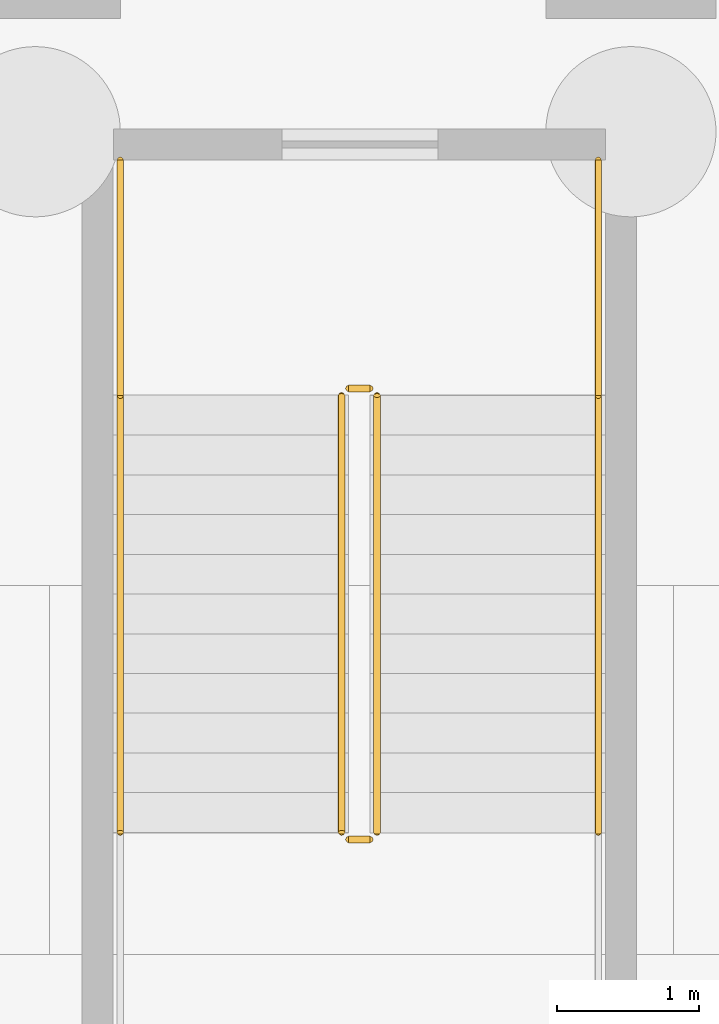
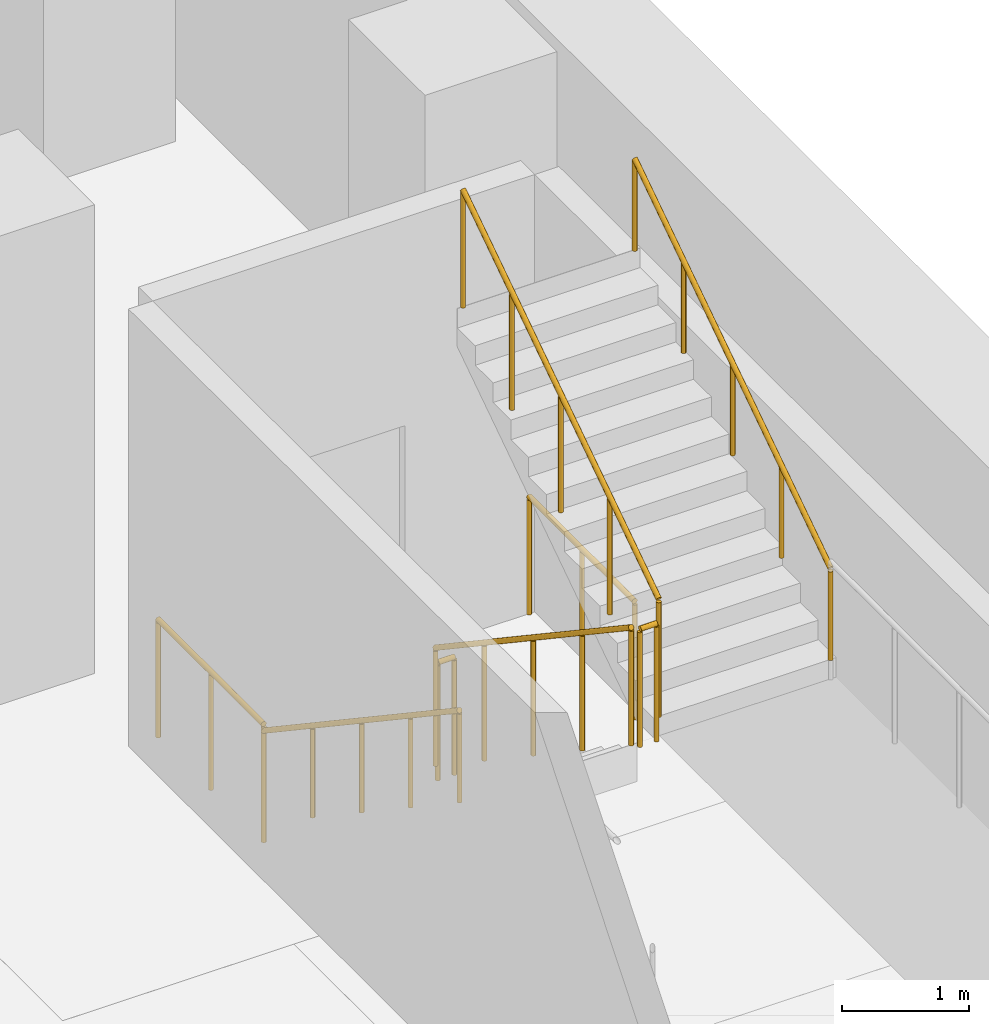
# One storey, part 13 of 15: 8 railings.
"""IFC4 building model written with IfcOpenShell, lengths in metres."""

import ifcopenshell
import ifcopenshell.guid

model = None  # the IFC model being written
_history = None  # IfcOwnerHistory: only IFC2X3 demands one
_inside = {}  # id of a spatial element -> (the spatial element, [elements in it])
_under = {}  # id of a project, library or spatial element -> (it, [spatial elements below it])
_declared = {}  # id of a project -> (the project, [libraries it declares])
_typed = {}  # id of a type object -> (the type object, [elements of that type])
_made_of = {}  # id of a material, layer set ... -> (it, [elements and type objects made of it])


def new_model(schema):
    """Start an empty IFC model of exactly this schema.

    Asked for "IFC4X3", IfcOpenShell would pick the latest addendum, in which some entities
    have other attributes; the version numbers below select the first issue.
    IFC2X3 requires an IfcOwnerHistory on every rooted entity: one is made here for all.
    """
    global model, _history
    if schema == "IFC4X3":
        model = ifcopenshell.file(schema_version=(4, 3, 0, 0))
    else:
        model = ifcopenshell.file(schema=schema)
    _inside.clear()
    _under.clear()
    _declared.clear()
    _typed.clear()
    _made_of.clear()
    _history = None
    if model.schema == "IFC2X3":
        org = make("IfcOrganization", Name="unknown")
        user = make(
            "IfcPersonAndOrganization",
            ThePerson=make("IfcPerson", FamilyName="unknown"),
            TheOrganization=org,
        )
        app = make(
            "IfcApplication",
            ApplicationDeveloper=org,
            Version="unknown",
            ApplicationFullName="unknown",
            ApplicationIdentifier="unknown",
        )
        _history = make(
            "IfcOwnerHistory",
            OwningUser=user,
            OwningApplication=app,
            ChangeAction="ADDED",
            CreationDate=0,
        )
    return model


def make(cls, **values):
    """One entity of the class cls with the attributes given. An attribute that is None is left unset."""
    return model.create_entity(
        cls, **{name: value for name, value in values.items() if value is not None}
    )


def rooted(cls, **values):
    """An entity with a GlobalId (a new one), such as an element, a storey or a relation."""
    return make(cls, GlobalId=ifcopenshell.guid.new(), OwnerHistory=_history, **values)


def si_unit(unit_type, name, prefix=None):
    """IfcSIUnit, for example si_unit("LENGTHUNIT", "METRE", prefix="MILLI")."""
    return make("IfcSIUnit", UnitType=unit_type, Prefix=prefix, Name=name)


def assignment(units):
    """IfcUnitAssignment: the units of a project."""
    return None if units is None else make("IfcUnitAssignment", Units=units)


def point(xyz):
    """IfcCartesianPoint."""
    return None if xyz is None else make("IfcCartesianPoint", Coordinates=xyz)


def direction(xyz):
    """IfcDirection."""
    return None if xyz is None else make("IfcDirection", DirectionRatios=xyz)


def frame(location, z_axis=None, x_axis=None):
    """IfcAxis2Placement3D, a coordinate frame: its origin and axes. An axis left out is left unset."""
    return make(
        "IfcAxis2Placement3D",
        Location=point(location),
        Axis=direction(z_axis),
        RefDirection=direction(x_axis),
    )


def frame_2d(location, x_axis=None):
    """IfcAxis2Placement2D, a coordinate frame in the plane: its origin and x axis."""
    return make(
        "IfcAxis2Placement2D", Location=point(location), RefDirection=direction(x_axis)
    )


def origin():
    """The frame at (0, 0, 0) with its axes left unset."""
    return frame((0.0, 0.0, 0.0))


def origin_2d():
    """The frame at (0, 0) in the plane with its x axis left unset."""
    return frame_2d((0.0, 0.0))


def place(relative_to, where):
    """IfcLocalPlacement: puts the frame where relative to a parent placement (None: the world)."""
    return make(
        "IfcLocalPlacement", PlacementRelTo=relative_to, RelativePlacement=where
    )


def context(
    kind, dimensions, precision=None, world=None, true_north=None, identifier=None
):
    """IfcGeometricRepresentationContext, for example the 3D "Model" context."""
    return make(
        "IfcGeometricRepresentationContext",
        ContextIdentifier=identifier,
        ContextType=kind,
        CoordinateSpaceDimension=dimensions,
        Precision=precision,
        WorldCoordinateSystem=world,
        TrueNorth=true_north,
    )


def subcontext(parent, identifier, kind, view, scale=None):
    """IfcGeometricRepresentationSubContext, for example "Body" below "Model"."""
    return make(
        "IfcGeometricRepresentationSubContext",
        ContextIdentifier=identifier,
        ContextType=kind,
        ParentContext=parent,
        TargetScale=scale,
        TargetView=view,
    )


def project(units=None, contexts=None):
    """IfcProject with its units and contexts."""
    return rooted(
        "IfcProject",
        Name="project",
        RepresentationContexts=contexts,
        UnitsInContext=assignment(units),
    )


def spatial(cls, under=None, at=None, **own):
    """A site, building, storey or space (cls), placed at a placement, below another one or the project."""
    s = rooted(cls, ObjectPlacement=at, **own)
    if under is not None:
        _under.setdefault(under.id(), (under, []))[1].append(s)
    return s


def profile(cls, at=None, kind="AREA", **sizes):
    """A parametric profile (cls). Its sizes go by their IFC names, for example OverallWidth=200.0."""
    return make(cls, ProfileType=kind, Position=at, **sizes)


def circle(**sizes):
    """IfcCircleProfileDef."""
    return profile("IfcCircleProfileDef", **sizes)


def extrude(swept, where, along, depth):
    """IfcExtrudedAreaSolid: the profile swept, set in the frame where, extruded along a direction by depth."""
    return make(
        "IfcExtrudedAreaSolid",
        SweptArea=swept,
        Position=where,
        ExtrudedDirection=direction(along),
        Depth=depth,
    )


def shape(context_of_items, identifier, shape_type, items):
    """IfcShapeRepresentation: the items that make up one representation, for example the "Body"."""
    return make(
        "IfcShapeRepresentation",
        ContextOfItems=context_of_items,
        RepresentationIdentifier=identifier,
        RepresentationType=shape_type,
        Items=items,
    )


def material(Name=None, Category=None):
    """IfcMaterial."""
    return make("IfcMaterial", Name=Name, Category=Category)


def made_of(thing, what):
    """Note that an element or type object is made of a material, layer set ...; save() writes the relation."""
    if what is not None:
        _made_of.setdefault(what.id(), (what, []))[1].append(thing)
    return thing


def type_object(cls, material=None, **own):
    """A type object (cls), such as IfcWallType, which elements share."""
    return made_of(rooted(cls, **own), material)


def element(
    cls,
    number,
    at=None,
    inside=None,
    cuts=None,
    type_object=None,
    material=None,
    context=None,
    identifier="Body",
    shape_type=None,
    held_by="IfcProductDefinitionShape",
    body=None,
    shapes=None,
    **own,
):
    """One element of the class cls, such as IfcWall. Its Tag is "e" and its number.

    at: its placement. inside: the storey or other place that contains it. cuts: it is an
    opening in that element (IfcRelVoidsElement). A single representation is given by context,
    identifier, shape_type and body (its items); several are given by shapes. held_by: the class
    of the entity that holds the representations. save() writes the other relations.
    """
    e = rooted(cls, Tag="e%d" % number, ObjectPlacement=at, **own)
    if body is not None:
        shapes = [shape(context, identifier, shape_type, body)]
    if shapes is not None:
        e.Representation = make(held_by, Representations=shapes)
    if inside is not None:
        _inside.setdefault(inside.id(), (inside, []))[1].append(e)
    if cuts is not None:
        rooted(
            "IfcRelVoidsElement", RelatingBuildingElement=cuts, RelatedOpeningElement=e
        )
    if type_object is not None:
        _typed.setdefault(type_object.id(), (type_object, []))[1].append(e)
    return made_of(e, material)


def aggregate(whole, parts):
    """IfcRelAggregates: a whole, such as a stair, and the parts it consists of."""
    return rooted("IfcRelAggregates", RelatingObject=whole, RelatedObjects=parts)


def save(model, path):
    """Write the relations noted so far, then the file.

    IfcRelAggregates (storeys below a building ...), IfcRelContainedInSpatialStructure (elements
    in a storey), IfcRelDefinesByType, IfcRelAssociatesMaterial and IfcRelDeclares: one each for
    every whole, place, type object, material and project.
    """
    for whole, parts in _under.values():
        aggregate(whole, parts)
    for where, things in _inside.values():
        rooted(
            "IfcRelContainedInSpatialStructure",
            RelatedElements=things,
            RelatingStructure=where,
        )
    for kind, things in _typed.values():
        rooted("IfcRelDefinesByType", RelatedObjects=things, RelatingType=kind)
    for what, things in _made_of.values():
        rooted("IfcRelAssociatesMaterial", RelatedObjects=things, RelatingMaterial=what)
    for by, libraries in _declared.values():
        rooted("IfcRelDeclares", RelatingContext=by, RelatedDefinitions=libraries)
    model.write(path)


model = new_model("IFC4")

# Units and contexts
model_context = context("Model", 3, precision=1e-05, world=origin(), true_north=direction((0.0, 1.0)))
body_context = subcontext(model_context, "Body", "Model", "MODEL_VIEW")
ifc_project = project(units=[si_unit("LENGTHUNIT", "METRE"), si_unit("AREAUNIT", "SQUARE_METRE"), si_unit("VOLUMEUNIT", "CUBIC_METRE"), si_unit("PLANEANGLEUNIT", "RADIAN"), si_unit("MASSUNIT", "GRAM", prefix="KILO")], contexts=[model_context])

# Site, building, storey
site_placement = place(None, origin())
site = spatial("IfcSite", under=ifc_project, at=site_placement, CompositionType="ELEMENT")
building_placement = place(site_placement, origin())
building = spatial("IfcBuilding", under=site, at=building_placement, Name="Khairoan Windgate Tower", CompositionType="ELEMENT")
storey_placement = place(building_placement, frame((0.0, 0.0, -9.0)))
storey = spatial("IfcBuildingStorey", under=building, at=storey_placement, Name="B2", CompositionType="ELEMENT", Elevation=-9.0)

# Railings
ifc_material_1 = material(Name="Anodised Bronze Aluminium 6063-T6", Category="aluminium")
railing_type_1 = type_object("IfcRailingType", Name="Stair Wall Handrail SHR-900", PredefinedType="HANDRAIL", material=ifc_material_1)
railing_1_placement = place(storey_placement, frame((30.60009765625, -11.659912109375, 0.1875)))
element("IfcRailing", 1, at=railing_1_placement, inside=storey, type_object=railing_type_1, Name="B2 ST3 stair handrail 1", PredefinedType="HANDRAIL", context=body_context, shape_type="SweptSolid", body=[
    extrude(circle(Radius=0.02392578125, at=origin_2d()), frame((0.0, 0.0, 0.8759765625), z_axis=(0.0, -0.830913701846, 0.55640131208), x_axis=(1.0, 0.0, 0.0)), (0.0, 0.0, 1.0), 3.706787109375),
    extrude(circle(Radius=0.02099609375, at=origin_2d()), origin(), (0.0, 0.0, 1.0), 0.851806640625),
    extrude(circle(Radius=0.02099609375, at=origin_2d()), frame((0.0, -0.77001953125, 0.515625)), (0.0, 0.0, 1.0), 0.851806640625),
    extrude(circle(Radius=0.02099609375, at=origin_2d()), frame((0.0, -1.5400390625, 1.03125)), (0.0, 0.0, 1.0), 0.851806640625),
    extrude(circle(Radius=0.02099609375, at=origin_2d()), frame((0.0, -2.31005859375, 1.546875)), (0.0, 0.0, 1.0), 0.851806640625),
    extrude(circle(Radius=0.02099609375, at=origin_2d()), frame((0.0, -3.080078125, 2.0625)), (0.0, 0.0, 1.0), 0.851806640625),
])
railing_2_placement = place(storey_placement, frame((33.969970703125, -14.739990234375, 2.4375)))
element("IfcRailing", 2, at=railing_2_placement, inside=storey, type_object=railing_type_1, Name="B2 ST3 stair handrail 2", PredefinedType="HANDRAIL", context=body_context, shape_type="SweptSolid", body=[
    extrude(circle(Radius=0.02392578125, at=origin_2d()), frame((0.0, 0.0, 0.8759765625), z_axis=(0.0, 0.830913701846, 0.55640131208), x_axis=(-1.0, 0.0, 0.0)), (0.0, 0.0, 1.0), 3.706787109375),
    extrude(circle(Radius=0.02099609375, at=origin_2d()), origin(), (0.0, 0.0, 1.0), 0.851806640625),
    extrude(circle(Radius=0.02099609375, at=origin_2d()), frame((0.0, 0.77001953125, 0.515625)), (0.0, 0.0, 1.0), 0.851806640625),
    extrude(circle(Radius=0.02099609375, at=origin_2d()), frame((0.0, 1.5400390625, 1.03125)), (0.0, 0.0, 1.0), 0.851806640625),
    extrude(circle(Radius=0.02099609375, at=origin_2d()), frame((0.0, 2.31005859375, 1.546875)), (0.0, 0.0, 1.0), 0.851806640625),
    extrude(circle(Radius=0.02099609375, at=origin_2d()), frame((0.0, 3.080078125, 2.0625)), (0.0, 0.0, 1.0), 0.851806640625),
])
ifc_material_2 = material(Name="Steel S355", Category="steel")
railing_type_2 = type_object("IfcRailingType", Name="Stairwell Safety Guardrail SGR-1150", PredefinedType="GUARDRAIL", material=ifc_material_2)
railing_3_placement = place(storey_placement, frame((32.159912109375, -11.659912109375, 0.1875)))
element("IfcRailing", 3, at=railing_3_placement, inside=storey, type_object=railing_type_2, Name="B2 ST3 stair guard 1", PredefinedType="GUARDRAIL", context=body_context, shape_type="SweptSolid", body=[
    extrude(circle(Radius=0.02392578125, at=origin_2d()), frame((0.0, 0.0, 1.1259765625), z_axis=(0.0, -0.830913701846, 0.55640131208), x_axis=(1.0, 0.0, 0.0)), (0.0, 0.0, 1.0), 3.706787109375),
    extrude(circle(Radius=0.02099609375, at=origin_2d()), origin(), (0.0, 0.0, 1.0), 1.101806640625),
    extrude(circle(Radius=0.02099609375, at=origin_2d()), frame((0.0, -0.77001953125, 0.515625)), (0.0, 0.0, 1.0), 1.101806640625),
    extrude(circle(Radius=0.02099609375, at=origin_2d()), frame((0.0, -1.5400390625, 1.03125)), (0.0, 0.0, 1.0), 1.101806640625),
    extrude(circle(Radius=0.02099609375, at=origin_2d()), frame((0.0, -2.31005859375, 1.546875)), (0.0, 0.0, 1.0), 1.101806640625),
    extrude(circle(Radius=0.02099609375, at=origin_2d()), frame((0.0, -3.080078125, 2.0625)), (0.0, 0.0, 1.0), 1.101806640625),
])
railing_4_placement = place(storey_placement, frame((32.2099609375, -14.7900390625, 2.25)))
element("IfcRailing", 4, at=railing_4_placement, inside=storey, type_object=railing_type_2, Name="B2 ST3 stair guard 2", PredefinedType="GUARDRAIL", context=body_context, shape_type="SweptSolid", body=[
    extrude(circle(Radius=0.02392578125, at=origin_2d()), frame((0.0, 0.0, 1.1259765625), z_axis=(1.0, 0.0, 0.0), x_axis=(0.0, 1.0, 0.0)), (0.0, 0.0, 1.0), 0.150146484375),
    extrude(circle(Radius=0.02099609375, at=origin_2d()), origin(), (0.0, 0.0, 1.0), 1.101806640625),
    extrude(circle(Radius=0.02099609375, at=origin_2d()), frame((0.150146484375, 0.0, 0.0)), (0.0, 0.0, 1.0), 1.101806640625),
])
railing_5_placement = place(storey_placement, frame((32.409912109375, -14.739990234375, 2.4375)))
element("IfcRailing", 5, at=railing_5_placement, inside=storey, type_object=railing_type_2, Name="B2 ST3 stair guard 6", PredefinedType="GUARDRAIL", context=body_context, shape_type="SweptSolid", body=[
    extrude(circle(Radius=0.02392578125, at=origin_2d()), frame((0.0, 0.0, 1.1259765625), z_axis=(0.0, 0.830913701846, 0.55640131208), x_axis=(-1.0, 0.0, 0.0)), (0.0, 0.0, 1.0), 3.706787109375),
    extrude(circle(Radius=0.02099609375, at=origin_2d()), origin(), (0.0, 0.0, 1.0), 1.101806640625),
    extrude(circle(Radius=0.02099609375, at=origin_2d()), frame((0.0, 0.77001953125, 0.515625)), (0.0, 0.0, 1.0), 1.101806640625),
    extrude(circle(Radius=0.02099609375, at=origin_2d()), frame((0.0, 1.5400390625, 1.03125)), (0.0, 0.0, 1.0), 1.101806640625),
    extrude(circle(Radius=0.02099609375, at=origin_2d()), frame((0.0, 2.31005859375, 1.546875)), (0.0, 0.0, 1.0), 1.101806640625),
    extrude(circle(Radius=0.02099609375, at=origin_2d()), frame((0.0, 3.080078125, 2.0625)), (0.0, 0.0, 1.0), 1.101806640625),
])
railing_6_placement = place(storey_placement, frame((32.2099609375, -11.610107421875, 0.0)))
element("IfcRailing", 6, at=railing_6_placement, inside=storey, type_object=railing_type_2, Name="B2 ST3 stair guard 7", PredefinedType="GUARDRAIL", context=body_context, shape_type="SweptSolid", body=[
    extrude(circle(Radius=0.02392578125, at=origin_2d()), frame((0.0, 0.0, 1.1259765625), z_axis=(1.0, 0.0, 0.0), x_axis=(0.0, 1.0, 0.0)), (0.0, 0.0, 1.0), 0.150146484375),
    extrude(circle(Radius=0.02099609375, at=origin_2d()), origin(), (0.0, 0.0, 1.0), 1.101806640625),
    extrude(circle(Radius=0.02099609375, at=origin_2d()), frame((0.150146484375, 0.0, 0.0)), (0.0, 0.0, 1.0), 1.101806640625),
])
for number, where, name in (
    (7, (30.60009765625, -10.0, 0.0), "B2 ST3 stair guard 8"),
    (8, (33.969970703125, -10.0, 0.0), "B2 ST3 stair guard 9"),
):
    element("IfcRailing", number, at=place(storey_placement, frame(where)), inside=storey, type_object=railing_type_2, Name=name, PredefinedType="GUARDRAIL", context=body_context, shape_type="SweptSolid", body=[
        extrude(circle(Radius=0.02392578125, at=origin_2d()), frame((0.0, 0.0, 1.1259765625), z_axis=(0.0, -1.0, 0.0), x_axis=(1.0, 0.0, 0.0)), (0.0, 0.0, 1.0), 1.659912109375),
        extrude(circle(Radius=0.02099609375, at=origin_2d()), origin(), (0.0, 0.0, 1.0), 1.101806640625),
        extrude(circle(Radius=0.02099609375, at=origin_2d()), frame((0.0, -0.830078125, 0.0)), (0.0, 0.0, 1.0), 1.101806640625),
        extrude(circle(Radius=0.02099609375, at=origin_2d()), frame((0.0, -1.659912109375, 0.0)), (0.0, 0.0, 1.0), 1.101806640625),
    ])

save(model, "model.ifc")
